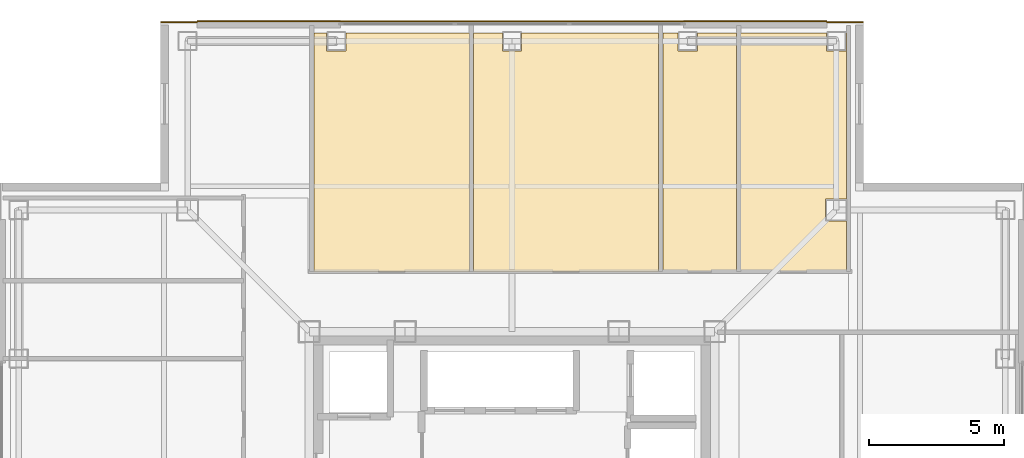
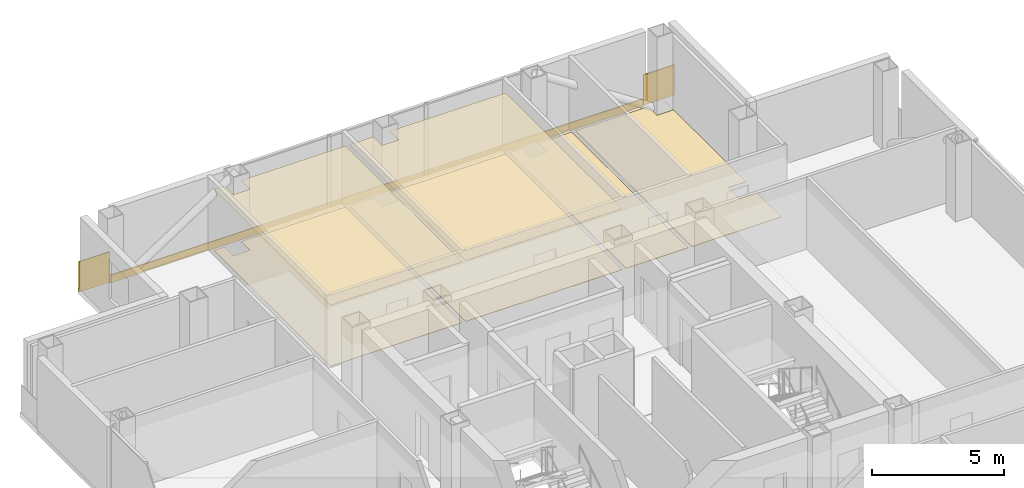
# One storey, part 16 of 16: 9 coverings.
"""IFC4 building model written with IfcOpenShell, lengths in metres."""

from ifc_helpers import new_model, si_unit, direction, frame, frame_2d, origin, place, context, subcontext, project, spatial, polyline, rectangle, outline, extrude, material, layer, layer_set, type_object, element, save


model = new_model("IFC4")

# Units and contexts
model_context = context("Model", 3, precision=1e-05, world=origin(), true_north=direction((0.0, 1.0)))
body_context = subcontext(model_context, "Body", "Model", "MODEL_VIEW")
ifc_project = project(units=[si_unit("LENGTHUNIT", "METRE"), si_unit("AREAUNIT", "SQUARE_METRE"), si_unit("VOLUMEUNIT", "CUBIC_METRE"), si_unit("PLANEANGLEUNIT", "RADIAN"), si_unit("MASSUNIT", "GRAM", prefix="KILO")], contexts=[model_context])

# Site, building, storey
site_placement = place(None, origin())
site = spatial("IfcSite", under=ifc_project, at=site_placement, CompositionType="ELEMENT")
building_placement = place(site_placement, origin())
building = spatial("IfcBuilding", under=site, at=building_placement, Name="Trevonay Congress Spire", CompositionType="ELEMENT")
storey_placement = place(building_placement, frame((0.0, 0.0, 236.0)))
storey = spatial("IfcBuildingStorey", under=building, at=storey_placement, Name="L61", CompositionType="ELEMENT", Elevation=236.0)

# Coverings
ifc_material_1 = material(Name="Acoustic Mineral Fibre Board", Category="gypsum")
ifc_layer_1 = layer(ifc_material_1, 0.02490234375, Name="Acoustic Mineral Fibre Board")
ifc_layer_set_1 = layer_set([ifc_layer_1], Name="Acoustic Mineral Fibre Board")
covering_type_1 = type_object("IfcCoveringType", Name="COV-CEIL-ACOUSTIC", PredefinedType="CEILING", material=ifc_layer_set_1)
covering_1_placement = place(storey_placement, frame((0.0, 0.0, 2.81005859375)))
element("IfcCovering", 1, at=covering_1_placement, inside=storey, type_object=covering_type_1, Name="L61 Defense Attache Office acoustic suspended ceiling", PredefinedType="CEILING", context=body_context, shape_type="SweptSolid", body=[
    extrude(outline(polyline([(-1.580078125, 18.550048828125), (-1.580078125, 9.72998046875), (-7.320068359375, 9.72998046875), (-7.320068359375, 18.550048828125), (-6.860107421875, 18.550048828125), (-6.860107421875, 17.889892578125), (-6.139892578125, 17.889892578125), (-6.139892578125, 18.550048828125), (-1.580078125, 18.550048828125)])), origin(), (0.0, 0.0, 1.0), 0.02490234375),
])
covering_2_placement = place(storey_placement, frame((0.0, 0.0, 2.81005859375)))
element("IfcCovering", 2, at=covering_2_placement, inside=storey, type_object=covering_type_1, Name="L61 Trade Attache Office acoustic suspended ceiling", PredefinedType="CEILING", context=body_context, shape_type="SweptSolid", body=[
    extrude(outline(polyline([(5.419921875, 18.550048828125), (5.419921875, 9.72998046875), (-1.419921875, 9.72998046875), (-1.419921875, 18.550048828125), (-0.360107421875, 18.550048828125), (-0.360107421875, 17.889892578125), (0.360107421875, 17.889892578125), (0.360107421875, 18.550048828125), (5.419921875, 18.550048828125)])), origin(), (0.0, 0.0, 1.0), 0.02490234375),
])
ifc_material_2 = material(Name="Polished Granite Floor Tile", Category="masonry")
ifc_layer_2 = layer(ifc_material_2, 0.02001953125, Name="Polished Granite Floor Tile")
ifc_layer_set_2 = layer_set([ifc_layer_2], Name="Polished Granite Floor Tile")
covering_type_2 = type_object("IfcCoveringType", Name="COV-FLOOR-STONE", PredefinedType="FLOORING", material=ifc_layer_set_2)
covering_3_placement = place(storey_placement, origin())
element("IfcCovering", 3, at=covering_3_placement, inside=storey, type_object=covering_type_2, Name="L61 Female Restroom WC floor finish", PredefinedType="FLOORING", context=body_context, shape_type="SweptSolid", body=[
    extrude(outline(polyline([(8.300048828125, 18.550048828125), (8.300048828125, 9.72998046875), (5.580078125, 9.72998046875), (5.580078125, 18.550048828125), (6.139892578125, 18.550048828125), (6.139892578125, 17.889892578125), (6.860107421875, 17.889892578125), (6.860107421875, 18.550048828125), (8.300048828125, 18.550048828125)])), origin(), (0.0, 0.0, 1.0), 0.02001953125),
])
covering_4_placement = place(storey_placement, origin())
element("IfcCovering", 4, at=covering_4_placement, inside=storey, type_object=covering_type_2, Name="L61 Floor Supplies and Copy Room floor finish", PredefinedType="FLOORING", context=body_context, shape_type="SweptSolid", body=[
    extrude(outline(polyline([(12.3701171875, 9.72998046875), (8.4599609375, 9.72998046875), (8.4599609375, 18.550048828125), (11.639892578125, 18.550048828125), (11.639892578125, 17.889892578125), (12.360107421875, 17.889892578125), (12.360107421875, 18.550048828125), (12.3701171875, 18.550048828125), (12.3701171875, 12.409912109375), (11.590087890625, 12.409912109375), (11.590087890625, 11.590087890625), (12.3701171875, 11.590087890625), (12.3701171875, 9.72998046875)])), origin(), (0.0, 0.0, 1.0), 0.02001953125),
])
ifc_material_3 = material(Name="Engineered Oak Flooring", Category="wood")
ifc_layer_3 = layer(ifc_material_3, 0.01806640625, Name="Engineered Oak Flooring")
ifc_layer_set_3 = layer_set([ifc_layer_3], Name="Engineered Oak Flooring")
covering_type_3 = type_object("IfcCoveringType", Name="COV-FLOOR-TIMBER", PredefinedType="FLOORING", material=ifc_layer_set_3)
covering_5_placement = place(storey_placement, origin())
element("IfcCovering", 5, at=covering_5_placement, inside=storey, type_object=covering_type_3, Name="L61 Defense Attache Office floor finish", PredefinedType="FLOORING", context=body_context, shape_type="SweptSolid", body=[
    extrude(outline(polyline([(-1.580078125, 18.550048828125), (-1.580078125, 9.72998046875), (-7.320068359375, 9.72998046875), (-7.320068359375, 18.550048828125), (-6.860107421875, 18.550048828125), (-6.860107421875, 17.889892578125), (-6.139892578125, 17.889892578125), (-6.139892578125, 18.550048828125), (-1.580078125, 18.550048828125)])), origin(), (0.0, 0.0, 1.0), 0.01806640625),
])
covering_6_placement = place(storey_placement, origin())
element("IfcCovering", 6, at=covering_6_placement, inside=storey, type_object=covering_type_3, Name="L61 Trade Attache Office floor finish", PredefinedType="FLOORING", context=body_context, shape_type="SweptSolid", body=[
    extrude(outline(polyline([(5.419921875, 18.550048828125), (5.419921875, 9.72998046875), (-1.419921875, 9.72998046875), (-1.419921875, 18.550048828125), (-0.360107421875, 18.550048828125), (-0.360107421875, 17.889892578125), (0.360107421875, 17.889892578125), (0.360107421875, 18.550048828125), (5.419921875, 18.550048828125)])), origin(), (0.0, 0.0, 1.0), 0.01806640625),
])
ifc_material_4 = material(Name="Pale Anodised Aluminium EN AW-6063-T6", Category="aluminium")
ifc_layer_4 = layer(ifc_material_4, 0.0400390625, Name="Pale Anodised Aluminium EN AW-6063-T6")
ifc_layer_set_4 = layer_set([ifc_layer_4], Name="Pale Anodised Aluminium EN AW-6063-T6")
covering_type_4 = type_object("IfcCoveringType", Name="COV-SPANDREL-PALE-METAL", PredefinedType="CLADDING", material=ifc_layer_set_4)
covering_7_placement = place(storey_placement, frame((-11.64990234375, 18.97998046875, -0.239990234375), z_axis=(0.0, 0.0, 1.0), x_axis=(1.0, 0.0, 0.0)))
element("IfcCovering", 7, at=covering_7_placement, inside=storey, type_object=covering_type_4, Name="L61 N pale-metal slab-edge spandrel cladding", PredefinedType="CLADDING", context=body_context, shape_type="SweptSolid", body=[
    extrude(rectangle(XDim=23.2998046875, YDim=0.0400390625, at=frame_2d((11.64990234375, 0.0))), origin(), (0.0, 0.0, 1.0), 0.360107421875),
])
for number, where, z_axis, x_axis, name in (
    (8, (11.64990234375, 18.93994140625, -0.14990234375), (0.0, 0.0, 1.0), (1.0, 0.0, 0.0), "L61 NE corner pier spandrel cladding 2"),
    (9, (-11.64990234375, 18.93994140625, -0.14990234375), (0.0, 0.0, 1.0), (-1.0, 0.0, 0.0), "L61 NW corner pier spandrel cladding 2"),
):
    element("IfcCovering", number, at=place(storey_placement, frame(where, z_axis=z_axis, x_axis=x_axis)), inside=storey, type_object=covering_type_4, Name=name, PredefinedType="CLADDING", context=body_context, shape_type="SweptSolid", body=[
        extrude(rectangle(XDim=1.35009765625, YDim=0.0400390625, at=frame_2d((0.675048828125, 0.0))), origin(), (0.0, 0.0, 1.0), 1.39990234375),
    ])

save(model, "model.ifc")
